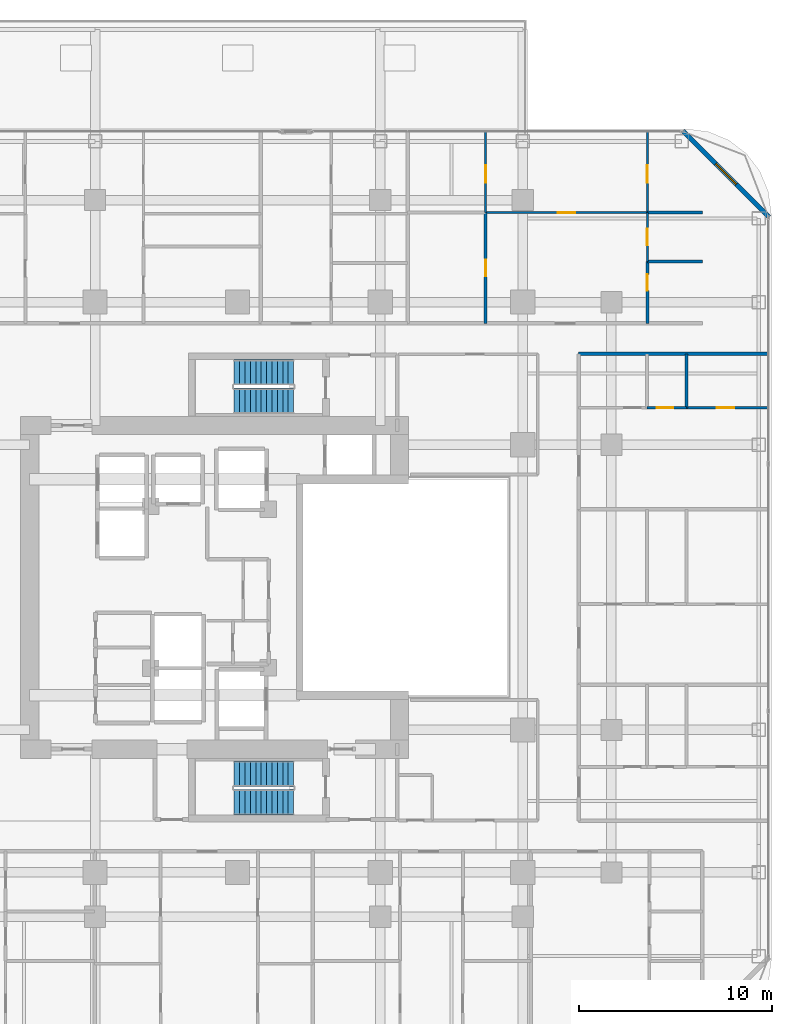
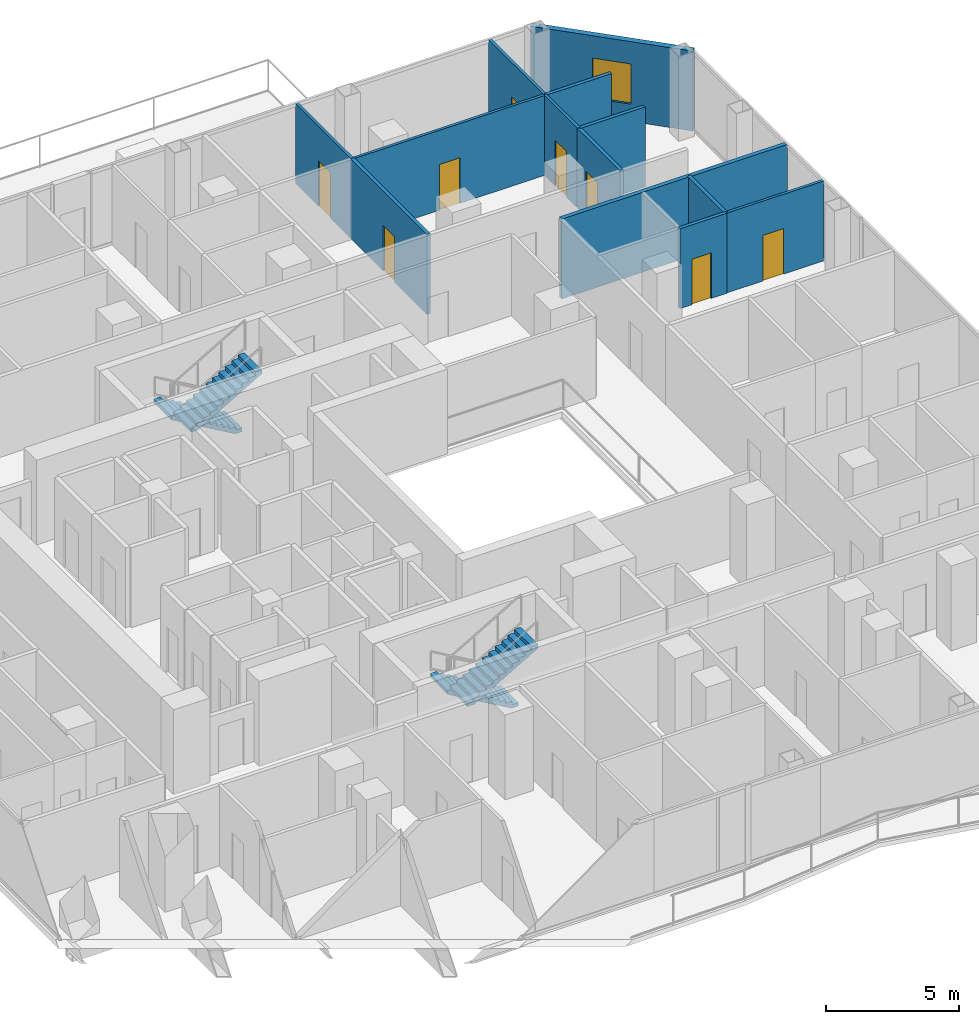
# One storey, part 26 of 29: 13 walls, 8 doors, 4 stair flights, 1 window, 9 openings, 2 elements without a shape of their own.
"""IFC4 building model written with IfcOpenShell, lengths in metres."""

from ifc_helpers import new_model, si_unit, direction, frame, frame_2d, origin, place, context, subcontext, project, spatial, polyline, rectangle, outline, extrude, material, layer, layer_set, type_object, element, fill, aggregate, save


model = new_model("IFC4")

# Units and contexts
model_context = context("Model", 3, precision=1e-05, world=origin(), true_north=direction((0.0, 1.0)))
body_context = subcontext(model_context, "Body", "Model", "MODEL_VIEW")
ifc_project = project(units=[si_unit("LENGTHUNIT", "METRE"), si_unit("AREAUNIT", "SQUARE_METRE"), si_unit("VOLUMEUNIT", "CUBIC_METRE"), si_unit("PLANEANGLEUNIT", "RADIAN"), si_unit("MASSUNIT", "GRAM", prefix="KILO")], contexts=[model_context])

# Site, building, storey
site_placement = place(None, origin())
site = spatial("IfcSite", under=ifc_project, at=site_placement, CompositionType="ELEMENT")
building_placement = place(site_placement, origin())
building = spatial("IfcBuilding", under=site, at=building_placement, Name="Khorvyn Point Tower", CompositionType="ELEMENT")
storey_placement = place(building_placement, frame((0.0, 0.0, 136.800048828125)))
storey = spatial("IfcBuildingStorey", under=building, at=storey_placement, Name="L34", CompositionType="ELEMENT", Elevation=136.800048828125)

# Wall
ifc_material_1 = material(Name="Double acoustic gypsum on twin steel stud", Category="steel")
ifc_layer_1 = layer(ifc_material_1, 0.179931640625)
ifc_layer_set_1 = layer_set([ifc_layer_1], Name="Acoustic Double-Stud Apartment Demising Wall 180")
wall_type_1 = type_object("IfcWallType", Name="Acoustic Double-Stud Apartment Demising Wall 180", PredefinedType="PARTITIONING", material=ifc_layer_set_1)
wall_1_placement = place(storey_placement, frame((17.699951171875, 12.1201171875, 0.0), z_axis=(0.0, 0.0, 1.0), x_axis=(1.0, 0.0, 0.0)))
element("IfcWall", 1, at=wall_1_placement, inside=storey, type_object=wall_type_1, Name="Wall", PredefinedType="PARTITIONING", context=body_context, shape_type="SweptSolid", body=[
    extrude(rectangle(XDim=9.830078125, YDim=0.179931640625, at=frame_2d((4.9150390625, 0.0))), origin(), (0.0, 0.0, 1.0), 3.679931640625),
])

# Wall, opening, window
ifc_material_2 = material(Name="Pale anodised aluminium rainscreen on steel stud", Category="steel")
ifc_layer_2 = layer(ifc_material_2, 0.239990234375)
ifc_layer_set_2 = layer_set([ifc_layer_2], Name="Anodised Aluminium Insulated Corner Spandrel Wall 240")
wall_type_2 = type_object("IfcWallType", Name="Anodised Aluminium Insulated Corner Spandrel Wall 240", PredefinedType="SOLIDWALL", material=ifc_layer_set_2)
wall_2_placement = place(storey_placement, frame((23.107666015625, 23.6923828125, 0.0), z_axis=(0.0, 0.0, 1.0), x_axis=(0.707087534163, -0.707126027686, 0.0)))
wall_2 = element("IfcWall", 2, at=wall_2_placement, inside=storey, type_object=wall_type_2, Name="L34 Rounded Corner Wall NE", PredefinedType="SOLIDWALL", context=body_context, shape_type="SweptSolid", body=[
    extrude(rectangle(XDim=6.34228515625, YDim=0.239990234375, at=frame_2d((3.171142578125, 0.0))), origin(), (0.0, 0.0, 1.0), 3.679931640625),
])
opening_1_placement = place(wall_2_placement, frame((2.42138671875, 0.0, 0.800048828125)))
opening_1 = element("IfcOpeningElement", 3, at=opening_1_placement, cuts=wall_2, Name="Opening WN-1518", PredefinedType="OPENING", context=body_context, shape_type="SweptSolid", body=[
    extrude(rectangle(XDim=1.5, YDim=1.85009765625, at=frame_2d((0.75, 0.925048828125))), frame((0.0, 0.1298828125, 0.0), z_axis=(0.0, -1.0, 0.0), x_axis=(1.0, 0.0, 0.0)), (0.0, 0.0, 1.0), 0.260009765625),
])
ifc_material_3 = material(Name="Anodised aluminium 6063-T6 and laminated Low-E glass", Category="aluminium")
window_type = type_object("IfcWindowType", Name="Anodised Aluminium Rounded-Corner Panoramic Window 1500x1850", PartitioningType="SINGLE_PANEL", PredefinedType="WINDOW", material=ifc_material_3)
window_placement = place(opening_1_placement, origin())
window = element("IfcWindow", 4, at=window_placement, inside=storey, type_object=window_type, Name="L34 Corner Panoramic Window NE", OverallHeight=1.85009765625, OverallWidth=1.5, PartitioningType="SINGLE_PANEL", PredefinedType="WINDOW", context=body_context, shape_type="SweptSolid", body=[
    extrude(rectangle(XDim=1.5, YDim=1.85009765625, at=frame_2d((0.75, 0.925048828125))), frame((0.0, 0.030029296875, 0.0), z_axis=(0.0, -1.0, 0.0), x_axis=(1.0, 0.0, 0.0)), (0.0, 0.0, 1.0), 0.06005859375),
])
fill(opening_1, window)

# Wall, opening, door
ifc_material_4 = material(Name="Gypsum plasterboard on steel stud", Category="steel")
ifc_layer_3 = layer(ifc_material_4, 0.1201171875)
ifc_layer_set_3 = layer_set([ifc_layer_3], Name="Gypsum Acoustic Stud Room Partition Wall 120")
wall_type_3 = type_object("IfcWallType", Name="Gypsum Acoustic Stud Room Partition Wall 120", PredefinedType="PARTITIONING", material=ifc_layer_set_3)
wall_3_placement = place(storey_placement, frame((12.865966796875, 19.455078125, 0.0), z_axis=(0.0, 0.0, 1.0), x_axis=(1.0, 0.0, 0.0)))
wall_3 = element("IfcWall", 5, at=wall_3_placement, inside=storey, type_object=wall_type_3, Name="Wall", PredefinedType="PARTITIONING", context=body_context, shape_type="SweptSolid", body=[
    extrude(rectangle(XDim=8.404052734375, YDim=0.1201171875, at=frame_2d((4.2021484375, 0.0))), origin(), (0.0, 0.0, 1.0), 3.679931640625),
])
opening_2_placement = place(wall_3_placement, frame((3.751953125, 0.0, 0.0)))
opening_2 = element("IfcOpeningElement", 6, at=opening_2_placement, cuts=wall_3, Name="Opening ID-RM90", PredefinedType="OPENING", context=body_context, shape_type="SweptSolid", body=[
    extrude(rectangle(XDim=0.89990234375, YDim=2.10009765625, at=frame_2d((0.449951171875, 1.050048828125))), frame((0.0, 0.070068359375, 0.0), z_axis=(0.0, -1.0, 0.0), x_axis=(1.0, 0.0, 0.0)), (0.0, 0.0, 1.0), 0.14013671875),
])
ifc_material_5 = material(Name="Engineered oak veneer timber", Category="wood")
door_type_1 = type_object("IfcDoorType", Name="Flush Engineered Timber Room Door 900x2100", OperationType="NOTDEFINED", PredefinedType="DOOR", material=ifc_material_5)
door_1_placement = place(opening_2_placement, origin())
door_1 = element("IfcDoor", 7, at=door_1_placement, inside=storey, type_object=door_type_1, Name="Door", OperationType="SINGLE_SWING_LEFT", OverallHeight=2.10009765625, OverallWidth=0.89990234375, PredefinedType="DOOR", context=body_context, shape_type="SweptSolid", body=[
    extrude(rectangle(XDim=0.89990234375, YDim=2.10009765625, at=frame_2d((0.449951171875, 1.050048828125))), frame((0.0, 0.02490234375, 0.0), z_axis=(0.0, -1.0, 0.0), x_axis=(1.0, 0.0, 0.0)), (0.0, 0.0, 1.0), 0.050048828125),
])
fill(opening_2, door_1)

wall_4_placement = place(storey_placement, frame((12.865966796875, 19.455078125, 0.0), z_axis=(0.0, 0.0, 1.0), x_axis=(0.0, 1.0, 0.0)))
wall_4 = element("IfcWall", 8, at=wall_4_placement, inside=storey, type_object=wall_type_3, Name="Wall", PredefinedType="PARTITIONING", context=body_context, shape_type="SweptSolid", body=[
    extrude(rectangle(XDim=4.1748046875, YDim=0.1201171875, at=frame_2d((2.08740234375, 0.0))), origin(), (0.0, 0.0, 1.0), 3.679931640625),
])
opening_3_placement = place(wall_4_placement, frame((1.550537109375, 0.0, 0.0)))
opening_3 = element("IfcOpeningElement", 9, at=opening_3_placement, cuts=wall_4, Name="Opening ID-RM90", PredefinedType="OPENING", context=body_context, shape_type="SweptSolid", body=[
    extrude(rectangle(XDim=0.89990234375, YDim=2.10009765625, at=frame_2d((0.449951171875, 1.050048828125))), frame((0.0, 0.070068359375, 0.0), z_axis=(0.0, -1.0, 0.0), x_axis=(1.0, 0.0, 0.0)), (0.0, 0.0, 1.0), 0.14013671875),
])
door_2_placement = place(opening_3_placement, origin())
door_2 = element("IfcDoor", 10, at=door_2_placement, inside=storey, type_object=door_type_1, Name="Door", OperationType="SINGLE_SWING_LEFT", OverallHeight=2.10009765625, OverallWidth=0.89990234375, PredefinedType="DOOR", context=body_context, shape_type="SweptSolid", body=[
    extrude(rectangle(XDim=0.89990234375, YDim=2.10009765625, at=frame_2d((0.449951171875, 1.050048828125))), frame((0.0, 0.02490234375, 0.0), z_axis=(0.0, -1.0, 0.0), x_axis=(1.0, 0.0, 0.0)), (0.0, 0.0, 1.0), 0.050048828125),
])
fill(opening_3, door_2)

wall_5_placement = place(storey_placement, frame((21.27001953125, 16.923095703125, 0.0), z_axis=(0.0, 0.0, 1.0), x_axis=(0.0, 1.0, 0.0)))
wall_5 = element("IfcWall", 11, at=wall_5_placement, inside=storey, type_object=wall_type_3, Name="Wall", PredefinedType="PARTITIONING", context=body_context, shape_type="SweptSolid", body=[
    extrude(rectangle(XDim=2.531982421875, YDim=0.1201171875, at=frame_2d((1.26611328125, 0.0))), origin(), (0.0, 0.0, 1.0), 3.679931640625),
])
opening_4_placement = place(wall_5_placement, frame((0.841064453125, 0.0, 0.0)))
opening_4 = element("IfcOpeningElement", 12, at=opening_4_placement, cuts=wall_5, Name="Opening ID-WC85", PredefinedType="OPENING", context=body_context, shape_type="SweptSolid", body=[
    extrude(rectangle(XDim=0.85009765625, YDim=2.10009765625, at=frame_2d((0.425048828125, 1.050048828125))), frame((0.0, 0.070068359375, 0.0), z_axis=(0.0, -1.0, 0.0), x_axis=(1.0, 0.0, 0.0)), (0.0, 0.0, 1.0), 0.14013671875),
])
ifc_material_6 = material(Name="High-pressure laminate on moisture-resistant core", Category="wood")
door_type_2 = type_object("IfcDoorType", Name="Moisture-Resistant Accessible Washroom Door 850x2100", OperationType="NOTDEFINED", PredefinedType="DOOR", material=ifc_material_6)
door_3_placement = place(opening_4_placement, origin())
door_3 = element("IfcDoor", 13, at=door_3_placement, inside=storey, type_object=door_type_2, Name="Door", OperationType="SINGLE_SWING_LEFT", OverallHeight=2.10009765625, OverallWidth=0.85009765625, PredefinedType="DOOR", context=body_context, shape_type="SweptSolid", body=[
    extrude(rectangle(XDim=0.85009765625, YDim=2.10009765625, at=frame_2d((0.425048828125, 1.050048828125))), frame((0.0, 0.02490234375, 0.0), z_axis=(0.0, -1.0, 0.0), x_axis=(1.0, 0.0, 0.0)), (0.0, 0.0, 1.0), 0.050048828125),
])
fill(opening_4, door_3)

wall_6_placement = place(storey_placement, frame((21.27001953125, 19.455078125, 0.0), z_axis=(0.0, 0.0, 1.0), x_axis=(0.0, 1.0, 0.0)))
wall_6 = element("IfcWall", 14, at=wall_6_placement, inside=storey, type_object=wall_type_3, Name="Wall", PredefinedType="PARTITIONING", context=body_context, shape_type="SweptSolid", body=[
    extrude(rectangle(XDim=4.1748046875, YDim=0.1201171875, at=frame_2d((2.08740234375, 0.0))), origin(), (0.0, 0.0, 1.0), 3.679931640625),
])
opening_5_placement = place(wall_6_placement, frame((1.550537109375, 0.0, 0.0)))
opening_5 = element("IfcOpeningElement", 15, at=opening_5_placement, cuts=wall_6, Name="Opening ID-RM90", PredefinedType="OPENING", context=body_context, shape_type="SweptSolid", body=[
    extrude(rectangle(XDim=0.89990234375, YDim=2.10009765625, at=frame_2d((0.449951171875, 1.050048828125))), frame((0.0, 0.070068359375, 0.0), z_axis=(0.0, -1.0, 0.0), x_axis=(1.0, 0.0, 0.0)), (0.0, 0.0, 1.0), 0.14013671875),
])
door_4_placement = place(opening_5_placement, origin())
door_4 = element("IfcDoor", 16, at=door_4_placement, inside=storey, type_object=door_type_1, Name="Door", OperationType="SINGLE_SWING_RIGHT", OverallHeight=2.10009765625, OverallWidth=0.89990234375, PredefinedType="DOOR", context=body_context, shape_type="SweptSolid", body=[
    extrude(rectangle(XDim=0.89990234375, YDim=2.10009765625, at=frame_2d((0.449951171875, 1.050048828125))), frame((0.0, 0.02490234375, 0.0), z_axis=(0.0, -1.0, 0.0), x_axis=(1.0, 0.0, 0.0)), (0.0, 0.0, 1.0), 0.050048828125),
])
fill(opening_5, door_4)

wall_7_placement = place(storey_placement, frame((23.2900390625, 9.320068359375, 0.0), z_axis=(0.0, 0.0, 1.0), x_axis=(1.0, 0.0, 0.0)))
wall_7 = element("IfcWall", 17, at=wall_7_placement, inside=storey, type_object=wall_type_3, Name="Wall", PredefinedType="PARTITIONING", context=body_context, shape_type="SweptSolid", body=[
    extrude(rectangle(XDim=4.239990234375, YDim=0.1201171875, at=frame_2d((2.1201171875, 0.0))), origin(), (0.0, 0.0, 1.0), 3.679931640625),
])
opening_6_placement = place(wall_7_placement, frame((1.581298828125, 0.0, 0.0)))
opening_6 = element("IfcOpeningElement", 18, at=opening_6_placement, cuts=wall_7, Name="Opening ID-RM90", PredefinedType="OPENING", context=body_context, shape_type="SweptSolid", body=[
    extrude(rectangle(XDim=0.89990234375, YDim=2.10009765625, at=frame_2d((0.449951171875, 1.050048828125))), frame((0.0, 0.070068359375, 0.0), z_axis=(0.0, -1.0, 0.0), x_axis=(1.0, 0.0, 0.0)), (0.0, 0.0, 1.0), 0.14013671875),
])
door_5_placement = place(opening_6_placement, origin())
door_5 = element("IfcDoor", 19, at=door_5_placement, inside=storey, type_object=door_type_1, Name="Door", OperationType="SINGLE_SWING_RIGHT", OverallHeight=2.10009765625, OverallWidth=0.89990234375, PredefinedType="DOOR", context=body_context, shape_type="SweptSolid", body=[
    extrude(rectangle(XDim=0.89990234375, YDim=2.10009765625, at=frame_2d((0.449951171875, 1.050048828125))), frame((0.0, 0.02490234375, 0.0), z_axis=(0.0, -1.0, 0.0), x_axis=(1.0, 0.0, 0.0)), (0.0, 0.0, 1.0), 0.050048828125),
])
fill(opening_6, door_5)

ifc_material_7 = material(Name="Moisture-resistant gypsum and cement board", Category="gypsum")
ifc_layer_4 = layer(ifc_material_7, 0.14990234375)
ifc_layer_set_4 = layer_set([ifc_layer_4], Name="Moisture-Resistant Wet-Room Partition Wall 150")
wall_type_4 = type_object("IfcWallType", Name="Moisture-Resistant Wet-Room Partition Wall 150", PredefinedType="PARTITIONING", material=ifc_layer_set_4)
wall_8_placement = place(storey_placement, frame((12.865966796875, 13.699951171875, 0.0), z_axis=(0.0, 0.0, 1.0), x_axis=(0.0, 1.0, 0.0)))
wall_8 = element("IfcWall", 20, at=wall_8_placement, inside=storey, type_object=wall_type_4, Name="Wall", PredefinedType="PARTITIONING", context=body_context, shape_type="SweptSolid", body=[
    extrude(rectangle(XDim=5.755126953125, YDim=0.14990234375, at=frame_2d((2.87744140625, 0.0))), origin(), (0.0, 0.0, 1.0), 3.679931640625),
])
opening_7_placement = place(wall_8_placement, frame((2.452392578125, 0.0, 0.0)))
opening_7 = element("IfcOpeningElement", 21, at=opening_7_placement, cuts=wall_8, Name="Opening ID-WC85", PredefinedType="OPENING", context=body_context, shape_type="SweptSolid", body=[
    extrude(rectangle(XDim=0.85009765625, YDim=2.10009765625, at=frame_2d((0.425048828125, 1.050048828125))), frame((0.0, 0.0849609375, 0.0), z_axis=(0.0, -1.0, 0.0), x_axis=(1.0, 0.0, 0.0)), (0.0, 0.0, 1.0), 0.169921875),
])
door_6_placement = place(opening_7_placement, origin())
door_6 = element("IfcDoor", 22, at=door_6_placement, inside=storey, type_object=door_type_2, Name="Door", OperationType="SINGLE_SWING_RIGHT", OverallHeight=2.10009765625, OverallWidth=0.85009765625, PredefinedType="DOOR", context=body_context, shape_type="SweptSolid", body=[
    extrude(rectangle(XDim=0.85009765625, YDim=2.10009765625, at=frame_2d((0.425048828125, 1.050048828125))), frame((0.0, 0.02490234375, 0.0), z_axis=(0.0, -1.0, 0.0), x_axis=(1.0, 0.0, 0.0)), (0.0, 0.0, 1.0), 0.050048828125),
])
fill(opening_7, door_6)

wall_9_placement = place(storey_placement, frame((21.27001953125, 13.699951171875, 0.0), z_axis=(0.0, 0.0, 1.0), x_axis=(0.0, 1.0, 0.0)))
wall_9 = element("IfcWall", 23, at=wall_9_placement, inside=storey, type_object=wall_type_4, Name="Wall", PredefinedType="PARTITIONING", context=body_context, shape_type="SweptSolid", body=[
    extrude(rectangle(XDim=3.22314453125, YDim=0.14990234375, at=frame_2d((1.611572265625, 0.0))), origin(), (0.0, 0.0, 1.0), 3.679931640625),
])
opening_8_placement = place(wall_9_placement, frame((1.69970703125, 0.0, 0.0)))
opening_8 = element("IfcOpeningElement", 24, at=opening_8_placement, cuts=wall_9, Name="Opening ID-WC85", PredefinedType="OPENING", context=body_context, shape_type="SweptSolid", body=[
    extrude(rectangle(XDim=0.85009765625, YDim=2.10009765625, at=frame_2d((0.425048828125, 1.050048828125))), frame((0.0, 0.0849609375, 0.0), z_axis=(0.0, -1.0, 0.0), x_axis=(1.0, 0.0, 0.0)), (0.0, 0.0, 1.0), 0.169921875),
])
door_7_placement = place(opening_8_placement, origin())
door_7 = element("IfcDoor", 25, at=door_7_placement, inside=storey, type_object=door_type_2, Name="Door", OperationType="SINGLE_SWING_RIGHT", OverallHeight=2.10009765625, OverallWidth=0.85009765625, PredefinedType="DOOR", context=body_context, shape_type="SweptSolid", body=[
    extrude(rectangle(XDim=0.85009765625, YDim=2.10009765625, at=frame_2d((0.425048828125, 1.050048828125))), frame((0.0, 0.02490234375, 0.0), z_axis=(0.0, -1.0, 0.0), x_axis=(1.0, 0.0, 0.0)), (0.0, 0.0, 1.0), 0.050048828125),
])
fill(opening_8, door_7)

wall_10_placement = place(storey_placement, frame((21.251953125, 9.320068359375, 0.0), z_axis=(0.0, 0.0, 1.0), x_axis=(1.0, 0.0, 0.0)))
wall_10 = element("IfcWall", 26, at=wall_10_placement, inside=storey, type_object=wall_type_4, Name="Wall", PredefinedType="PARTITIONING", context=body_context, shape_type="SweptSolid", body=[
    extrude(rectangle(XDim=2.0380859375, YDim=0.14990234375, at=frame_2d((1.01904296875, 0.0))), origin(), (0.0, 0.0, 1.0), 3.679931640625),
])
opening_9_placement = place(wall_10_placement, frame((0.507080078125, 0.0, 0.0)))
opening_9 = element("IfcOpeningElement", 27, at=opening_9_placement, cuts=wall_10, Name="Opening ID-WC85", PredefinedType="OPENING", context=body_context, shape_type="SweptSolid", body=[
    extrude(rectangle(XDim=0.85009765625, YDim=2.10009765625, at=frame_2d((0.425048828125, 1.050048828125))), frame((0.0, 0.0849609375, 0.0), z_axis=(0.0, -1.0, 0.0), x_axis=(1.0, 0.0, 0.0)), (0.0, 0.0, 1.0), 0.169921875),
])
door_8_placement = place(opening_9_placement, origin())
door_8 = element("IfcDoor", 28, at=door_8_placement, inside=storey, type_object=door_type_2, Name="Door", OperationType="SINGLE_SWING_LEFT", OverallHeight=2.10009765625, OverallWidth=0.85009765625, PredefinedType="DOOR", context=body_context, shape_type="SweptSolid", body=[
    extrude(rectangle(XDim=0.85009765625, YDim=2.10009765625, at=frame_2d((0.425048828125, 1.050048828125))), frame((0.0, 0.02490234375, 0.0), z_axis=(0.0, -1.0, 0.0), x_axis=(1.0, 0.0, 0.0)), (0.0, 0.0, 1.0), 0.050048828125),
])
fill(opening_9, door_8)

# Walls
for number, where, z_axis, x_axis, name in (
    (29, (21.27001953125, 16.923095703125, 0.0), (0.0, 0.0, 1.0), (1.0, 0.0, 0.0), "Wall"),
    (30, (21.27001953125, 19.455078125, 0.0), (0.0, 0.0, 1.0), (1.0, 0.0, 0.0), "Wall"),
):
    element("IfcWall", number, at=place(storey_placement, frame(where, z_axis=z_axis, x_axis=x_axis)), inside=storey, type_object=wall_type_4, Name=name, PredefinedType="PARTITIONING", context=body_context, shape_type="SweptSolid", body=[
        extrude(rectangle(XDim=2.85009765625, YDim=0.14990234375, at=frame_2d((1.425048828125, 0.0))), origin(), (0.0, 0.0, 1.0), 3.679931640625),
    ])
wall_11_placement = place(storey_placement, frame((23.2900390625, 9.320068359375, 0.0), z_axis=(0.0, 0.0, 1.0), x_axis=(0.0, 1.0, 0.0)))
element("IfcWall", 31, at=wall_11_placement, inside=storey, type_object=wall_type_4, Name="Wall", PredefinedType="PARTITIONING", context=body_context, shape_type="SweptSolid", body=[
    extrude(rectangle(XDim=2.800048828125, YDim=0.14990234375, at=frame_2d((1.39990234375, 0.0))), origin(), (0.0, 0.0, 1.0), 3.679931640625),
])

# Stair, stair flights
ifc_material_8 = material(Name="Concrete C40/50", Category="concrete")
stair_type = type_object("IfcStairType", Name="Tower Concrete C40/50 Dogleg Exit Stair", PredefinedType="HALF_TURN_STAIR", material=ifc_material_8)
stair_1_placement = place(storey_placement, origin())
stair_1 = element("IfcStair", 32, at=stair_1_placement, inside=storey, type_object=stair_type, Name="L34 Tower Smokeproof Exit Stair South", PredefinedType="HALF_TURN_STAIR")
stair_flight_type = type_object("IfcStairFlightType", Name="Tower Concrete C40/50 Stair Flight", PredefinedType="STRAIGHT", material=ifc_material_8)
stair_flight_1_placement = place(storey_placement, frame((2.89990234375, -9.679931640625, 0.0), z_axis=(0.0, 0.0, 1.0), x_axis=(-1.0, 0.0, 0.0)))
stair_flight_1 = element("IfcStairFlight", 33, at=stair_flight_1_placement, type_object=stair_flight_type, Name="ST-01 flight 1", NumberOfRisers=12, NumberOfTreads=11, PredefinedType="STRAIGHT", RiserHeight=0.1625, TreadLength=0.28, context=body_context, shape_type="SweptSolid", body=[
    extrude(outline(polyline([(0.0, 0.0), (0.0, 0.16259765625), (0.280029296875, 0.16259765625), (0.280029296875, 0.324951171875), (0.56005859375, 0.324951171875), (0.56005859375, 0.487548828125), (0.840087890625, 0.487548828125), (0.840087890625, 0.64990234375), (1.1201171875, 0.64990234375), (1.1201171875, 0.8125), (1.39990234375, 0.8125), (1.39990234375, 0.97509765625), (1.679931640625, 0.97509765625), (1.679931640625, 1.137451171875), (1.9599609375, 1.137451171875), (1.9599609375, 1.300048828125), (2.239990234375, 1.300048828125), (2.239990234375, 1.46240234375), (2.52001953125, 1.46240234375), (2.52001953125, 1.625), (2.800048828125, 1.625), (2.800048828125, 1.78759765625), (3.080078125, 1.78759765625), (3.080078125, 1.949951171875), (3.080078125, 1.6142578125), (0.298583984375, 0.0), (0.0, 0.0)])), frame((0.0, 0.66015625, 0.0), z_axis=(0.0, -1.0, 0.0), x_axis=(1.0, 0.0, 0.0)), (0.0, 0.0, 1.0), 1.320068359375),
])
stair_flight_2_placement = place(storey_placement, frame((-0.179931640625, -11.159912109375, 1.949951171875), z_axis=(0.0, 0.0, 1.0), x_axis=(1.0, 0.0, 0.0)))
stair_flight_2 = element("IfcStairFlight", 34, at=stair_flight_2_placement, type_object=stair_flight_type, Name="ST-01 flight 2", NumberOfRisers=12, NumberOfTreads=11, PredefinedType="STRAIGHT", RiserHeight=0.1625, TreadLength=0.28, context=body_context, shape_type="SweptSolid", body=[
    extrude(outline(polyline([(0.0, 0.0), (0.0, 0.16259765625), (0.280029296875, 0.16259765625), (0.280029296875, 0.324951171875), (0.56005859375, 0.324951171875), (0.56005859375, 0.487548828125), (0.840087890625, 0.487548828125), (0.840087890625, 0.64990234375), (1.1201171875, 0.64990234375), (1.1201171875, 0.8125), (1.39990234375, 0.8125), (1.39990234375, 0.97509765625), (1.679931640625, 0.97509765625), (1.679931640625, 1.137451171875), (1.9599609375, 1.137451171875), (1.9599609375, 1.300048828125), (2.239990234375, 1.300048828125), (2.239990234375, 1.46240234375), (2.52001953125, 1.46240234375), (2.52001953125, 1.625), (2.800048828125, 1.625), (2.800048828125, 1.78759765625), (3.080078125, 1.78759765625), (3.080078125, 1.949951171875), (3.080078125, 1.6142578125), (0.298583984375, 0.0), (0.0, 0.0)])), frame((0.0, 0.66015625, 0.0), z_axis=(0.0, -1.0, 0.0), x_axis=(1.0, 0.0, 0.0)), (0.0, 0.0, 1.0), 1.320068359375),
])
aggregate(stair_1, [stair_flight_1, stair_flight_2])

stair_2_placement = place(storey_placement, origin())
stair_2 = element("IfcStair", 35, at=stair_2_placement, inside=storey, type_object=stair_type, Name="L34 Tower Smokeproof Exit Stair North", PredefinedType="HALF_TURN_STAIR")
stair_flight_3_placement = place(storey_placement, frame((2.89990234375, 11.159912109375, 0.0), z_axis=(0.0, 0.0, 1.0), x_axis=(-1.0, 0.0, 0.0)))
stair_flight_3 = element("IfcStairFlight", 36, at=stair_flight_3_placement, type_object=stair_flight_type, Name="ST-02 flight 1", NumberOfRisers=12, NumberOfTreads=11, PredefinedType="STRAIGHT", RiserHeight=0.1625, TreadLength=0.28, context=body_context, shape_type="SweptSolid", body=[
    extrude(outline(polyline([(0.0, 0.0), (0.0, 0.16259765625), (0.280029296875, 0.16259765625), (0.280029296875, 0.324951171875), (0.56005859375, 0.324951171875), (0.56005859375, 0.487548828125), (0.840087890625, 0.487548828125), (0.840087890625, 0.64990234375), (1.1201171875, 0.64990234375), (1.1201171875, 0.8125), (1.39990234375, 0.8125), (1.39990234375, 0.97509765625), (1.679931640625, 0.97509765625), (1.679931640625, 1.137451171875), (1.9599609375, 1.137451171875), (1.9599609375, 1.300048828125), (2.239990234375, 1.300048828125), (2.239990234375, 1.46240234375), (2.52001953125, 1.46240234375), (2.52001953125, 1.625), (2.800048828125, 1.625), (2.800048828125, 1.78759765625), (3.080078125, 1.78759765625), (3.080078125, 1.949951171875), (3.080078125, 1.6142578125), (0.298583984375, 0.0), (0.0, 0.0)])), frame((0.0, 0.66015625, 0.0), z_axis=(0.0, -1.0, 0.0), x_axis=(1.0, 0.0, 0.0)), (0.0, 0.0, 1.0), 1.320068359375),
])
stair_flight_4_placement = place(storey_placement, frame((-0.179931640625, 9.679931640625, 1.949951171875), z_axis=(0.0, 0.0, 1.0), x_axis=(1.0, 0.0, 0.0)))
stair_flight_4 = element("IfcStairFlight", 37, at=stair_flight_4_placement, type_object=stair_flight_type, Name="ST-02 flight 2", NumberOfRisers=12, NumberOfTreads=11, PredefinedType="STRAIGHT", RiserHeight=0.1625, TreadLength=0.28, context=body_context, shape_type="SweptSolid", body=[
    extrude(outline(polyline([(0.0, 0.0), (0.0, 0.16259765625), (0.280029296875, 0.16259765625), (0.280029296875, 0.324951171875), (0.56005859375, 0.324951171875), (0.56005859375, 0.487548828125), (0.840087890625, 0.487548828125), (0.840087890625, 0.64990234375), (1.1201171875, 0.64990234375), (1.1201171875, 0.8125), (1.39990234375, 0.8125), (1.39990234375, 0.97509765625), (1.679931640625, 0.97509765625), (1.679931640625, 1.137451171875), (1.9599609375, 1.137451171875), (1.9599609375, 1.300048828125), (2.239990234375, 1.300048828125), (2.239990234375, 1.46240234375), (2.52001953125, 1.46240234375), (2.52001953125, 1.625), (2.800048828125, 1.625), (2.800048828125, 1.78759765625), (3.080078125, 1.78759765625), (3.080078125, 1.949951171875), (3.080078125, 1.6142578125), (0.298583984375, 0.0), (0.0, 0.0)])), frame((0.0, 0.66015625, 0.0), z_axis=(0.0, -1.0, 0.0), x_axis=(1.0, 0.0, 0.0)), (0.0, 0.0, 1.0), 1.320068359375),
])
aggregate(stair_2, [stair_flight_3, stair_flight_4])

save(model, "model.ifc")
